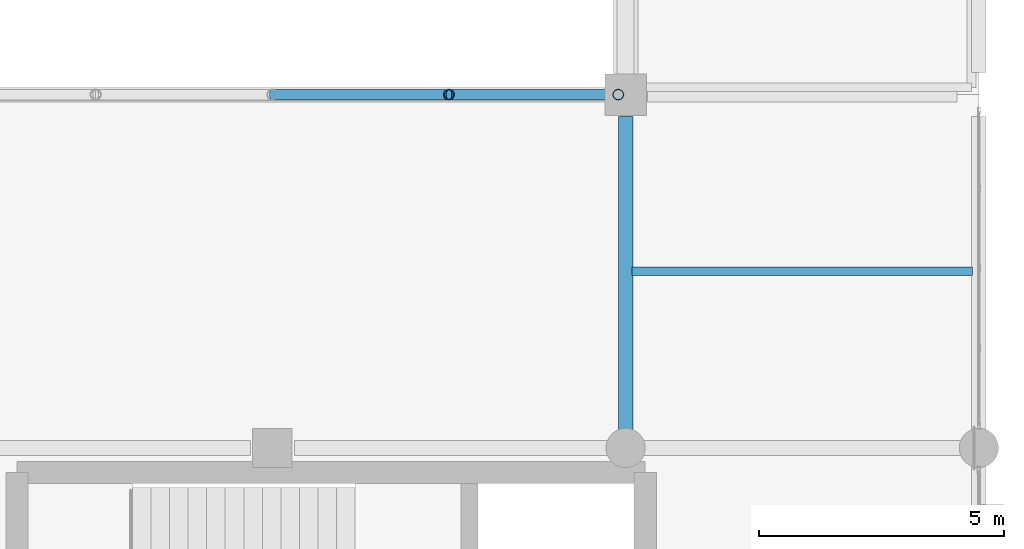
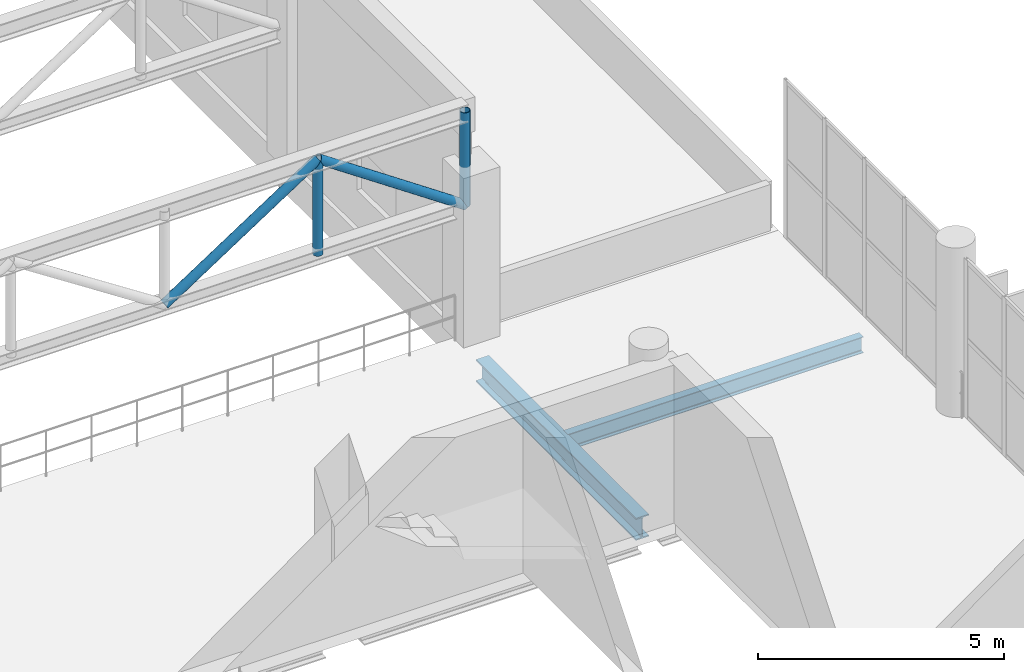
# One storey, part 91 of 153: 4 members, 2 beams.
"""IFC4 building model written with IfcOpenShell, lengths in metres."""

from ifc_helpers import new_model, si_unit, direction, frame, origin, origin_2d, place, context, subcontext, project, spatial, hollow_circle, i_section, extrude, material, material_profile, profile_set, type_object, element, save


model = new_model("IFC4")

# Units and contexts
model_context = context("Model", 3, precision=1e-05, world=origin(), true_north=direction((0.0, 1.0)))
body_context = subcontext(model_context, "Body", "Model", "MODEL_VIEW")
ifc_project = project(units=[si_unit("LENGTHUNIT", "METRE"), si_unit("AREAUNIT", "SQUARE_METRE"), si_unit("VOLUMEUNIT", "CUBIC_METRE"), si_unit("PLANEANGLEUNIT", "RADIAN"), si_unit("MASSUNIT", "GRAM", prefix="KILO")], contexts=[model_context])

# Site, building, storey
site_placement = place(None, origin())
site = spatial("IfcSite", under=ifc_project, at=site_placement, CompositionType="ELEMENT")
building_placement = place(site_placement, origin())
building = spatial("IfcBuilding", under=site, at=building_placement, Name="Qandorah Velis Arena", CompositionType="ELEMENT")
storey_placement = place(building_placement, frame((0.0, 0.0, 5.39990234375)))
storey = spatial("IfcBuildingStorey", under=building, at=storey_placement, Name="L01", CompositionType="ELEMENT", Elevation=5.39990234375)

# Beams
ifc_material = material(Name="Steel S355", Category="steel")
ifc_material_profile_1 = material_profile(ifc_material, i_section(OverallWidth=0.300048828125, OverallDepth=0.550048828125, WebThickness=0.014892578125, FlangeThickness=0.029052734375, FilletRadius=0.027099609375, at=origin_2d()), Name="HEB 550")
ifc_profile_set_1 = profile_set([ifc_material_profile_1], Name="Steel S355")
beam_type_1 = type_object("IfcBeamType", Name="STR-BM-HEB550", PredefinedType="BEAM", material=ifc_profile_set_1)
beam_1_placement = place(storey_placement, frame((165.60009765625, 86.64990234375, -0.635009765625), z_axis=(0.0, 1.0, 0.0), x_axis=(-1.0, 0.0, 0.0)))
element("IfcBeam", 1, at=beam_1_placement, inside=storey, type_object=beam_type_1, Name="Primary floor girder L01 Y-419", PredefinedType="BEAM", context=body_context, shape_type="SweptSolid", body=[
    extrude(i_section(OverallWidth=0.300048828125, OverallDepth=0.550048828125, WebThickness=0.014892578125, FlangeThickness=0.029052734375, FilletRadius=0.027099609375, at=origin_2d()), origin(), (0.0, 0.0, 1.0), 6.5),
])
ifc_material_profile_2 = material_profile(ifc_material, i_section(OverallWidth=0.179931640625, OverallDepth=0.39990234375, WebThickness=0.008544921875, FlangeThickness=0.013427734375, FilletRadius=0.02099609375, at=origin_2d()), Name="IPE 400")
ifc_profile_set_2 = profile_set([ifc_material_profile_2], Name="Steel S355")
beam_type_2 = type_object("IfcBeamType", Name="STR-JST-IPE400", PredefinedType="JOIST", material=ifc_profile_set_2)
beam_2_placement = place(storey_placement, frame((165.735107421875, 90.0, -0.559814453125), z_axis=(1.0, 0.0, 0.0), x_axis=(0.0, 1.0, 0.0)))
element("IfcBeam", 2, at=beam_2_placement, inside=storey, type_object=beam_type_2, Name="Secondary floor joist L01-155", PredefinedType="JOIST", context=body_context, shape_type="SweptSolid", body=[
    extrude(i_section(OverallWidth=0.179931640625, OverallDepth=0.39990234375, WebThickness=0.008544921875, FlangeThickness=0.013427734375, FilletRadius=0.02099609375, at=origin_2d()), origin(), (0.0, 0.0, 1.0), 6.929931640625),
])

# Members
ifc_material_profile_3 = material_profile(ifc_material, hollow_circle(Radius=0.109619140625, WallThickness=0.010009765625, at=origin_2d()), Name="CHS 219.1x10")
ifc_profile_set_3 = profile_set([ifc_material_profile_3], Name="Steel S355")
member_type = type_object("IfcMemberType", Name="STR-SFD-CHS219X10", PredefinedType="STRUT", material=ifc_profile_set_3)
member_1_placement = place(storey_placement, frame((158.39990234375, 93.60009765625, 3.205078125), z_axis=(0.837375540217, 0.0, 0.546628031339), x_axis=(0.0, 1.0, 0.0)))
element("IfcMember", 3, at=member_1_placement, inside=storey, type_object=member_type, Name="Practice court roof truss 1 web diagonal 11", PredefinedType="STRUT", context=body_context, shape_type="SweptSolid", body=[
    extrude(hollow_circle(Radius=0.109619140625, WallThickness=0.010009765625, at=origin_2d()), origin(), (0.0, 0.0, 1.0), 4.29931640625),
])
member_2_placement = place(storey_placement, frame((162.0, 93.60009765625, 3.205078125), z_axis=(0.0, 0.0, 1.0), x_axis=(1.0, 0.0, 0.0)))
element("IfcMember", 4, at=member_2_placement, inside=storey, type_object=member_type, Name="Practice court roof truss 1 vertical 12", PredefinedType="STRUT", context=body_context, shape_type="SweptSolid", body=[
    extrude(hollow_circle(Radius=0.109619140625, WallThickness=0.010009765625, at=origin_2d()), origin(), (0.0, 0.0, 1.0), 2.35009765625),
])
member_3_placement = place(storey_placement, frame((162.0, 93.60009765625, 5.55517578125), z_axis=(0.826466079645, 0.0, -0.562986517774), x_axis=(0.0, 1.0, 0.0)))
element("IfcMember", 5, at=member_3_placement, inside=storey, type_object=member_type, Name="Practice court roof truss 1 web diagonal 12", PredefinedType="STRUT", context=body_context, shape_type="SweptSolid", body=[
    extrude(hollow_circle(Radius=0.109619140625, WallThickness=0.010009765625, at=origin_2d()), origin(), (0.0, 0.0, 1.0), 4.17431640625),
])
member_4_placement = place(storey_placement, frame((165.449951171875, 93.60009765625, 3.205078125), z_axis=(0.0, 0.0, 1.0), x_axis=(1.0, 0.0, 0.0)))
element("IfcMember", 6, at=member_4_placement, inside=storey, type_object=member_type, Name="Practice court roof truss 1 end vertical", PredefinedType="STRUT", context=body_context, shape_type="SweptSolid", body=[
    extrude(hollow_circle(Radius=0.109619140625, WallThickness=0.010009765625, at=origin_2d()), origin(), (0.0, 0.0, 1.0), 2.35009765625),
])

save(model, "model.ifc")
